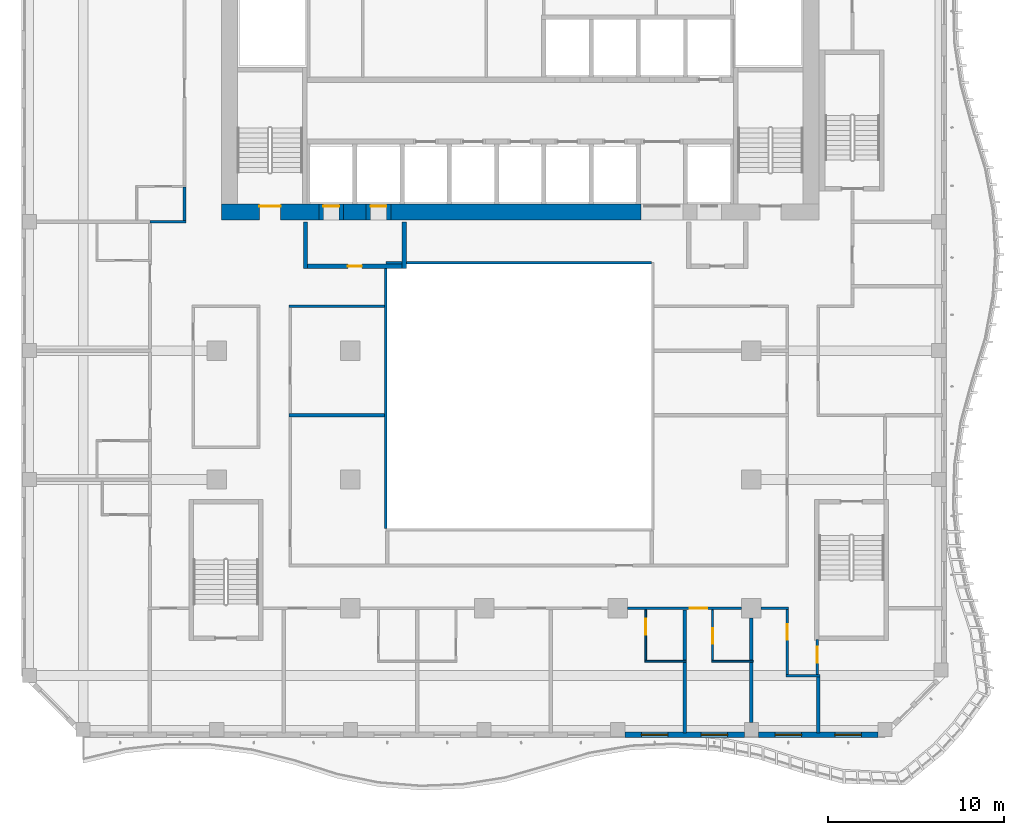
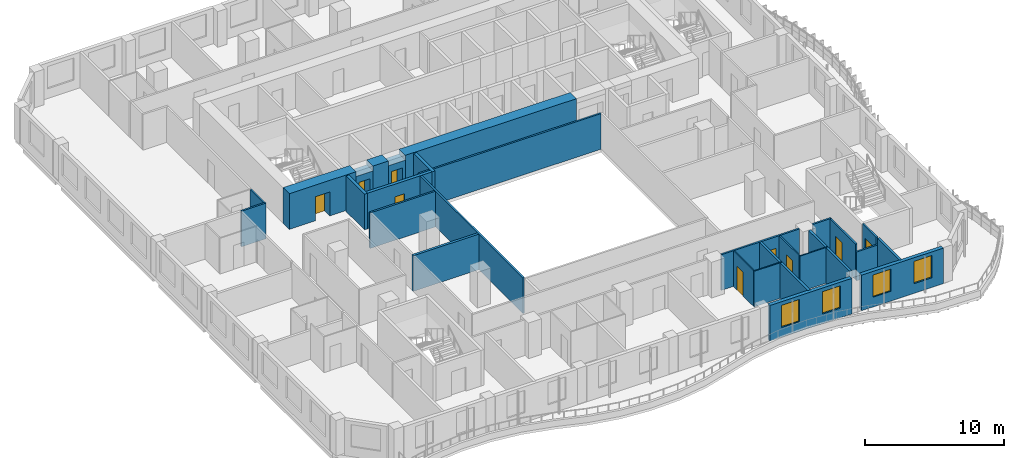
# One storey, part 4 of 22: 30 walls, 9 doors, 4 windows, 13 openings.
"""IFC4 building model written with IfcOpenShell, lengths in metres."""

import ifcopenshell
import ifcopenshell.guid

model = None  # the IFC model being written
_history = None  # IfcOwnerHistory: only IFC2X3 demands one
_inside = {}  # id of a spatial element -> (the spatial element, [elements in it])
_under = {}  # id of a project, library or spatial element -> (it, [spatial elements below it])
_declared = {}  # id of a project -> (the project, [libraries it declares])
_typed = {}  # id of a type object -> (the type object, [elements of that type])
_made_of = {}  # id of a material, layer set ... -> (it, [elements and type objects made of it])


def new_model(schema):
    """Start an empty IFC model of exactly this schema.

    Asked for "IFC4X3", IfcOpenShell would pick the latest addendum, in which some entities
    have other attributes; the version numbers below select the first issue.
    IFC2X3 requires an IfcOwnerHistory on every rooted entity: one is made here for all.
    """
    global model, _history
    if schema == "IFC4X3":
        model = ifcopenshell.file(schema_version=(4, 3, 0, 0))
    else:
        model = ifcopenshell.file(schema=schema)
    _inside.clear()
    _under.clear()
    _declared.clear()
    _typed.clear()
    _made_of.clear()
    _history = None
    if model.schema == "IFC2X3":
        org = make("IfcOrganization", Name="unknown")
        user = make(
            "IfcPersonAndOrganization",
            ThePerson=make("IfcPerson", FamilyName="unknown"),
            TheOrganization=org,
        )
        app = make(
            "IfcApplication",
            ApplicationDeveloper=org,
            Version="unknown",
            ApplicationFullName="unknown",
            ApplicationIdentifier="unknown",
        )
        _history = make(
            "IfcOwnerHistory",
            OwningUser=user,
            OwningApplication=app,
            ChangeAction="ADDED",
            CreationDate=0,
        )
    return model


def make(cls, **values):
    """One entity of the class cls with the attributes given. An attribute that is None is left unset."""
    return model.create_entity(
        cls, **{name: value for name, value in values.items() if value is not None}
    )


def rooted(cls, **values):
    """An entity with a GlobalId (a new one), such as an element, a storey or a relation."""
    return make(cls, GlobalId=ifcopenshell.guid.new(), OwnerHistory=_history, **values)


def si_unit(unit_type, name, prefix=None):
    """IfcSIUnit, for example si_unit("LENGTHUNIT", "METRE", prefix="MILLI")."""
    return make("IfcSIUnit", UnitType=unit_type, Prefix=prefix, Name=name)


def assignment(units):
    """IfcUnitAssignment: the units of a project."""
    return None if units is None else make("IfcUnitAssignment", Units=units)


def point(xyz):
    """IfcCartesianPoint."""
    return None if xyz is None else make("IfcCartesianPoint", Coordinates=xyz)


def direction(xyz):
    """IfcDirection."""
    return None if xyz is None else make("IfcDirection", DirectionRatios=xyz)


def frame(location, z_axis=None, x_axis=None):
    """IfcAxis2Placement3D, a coordinate frame: its origin and axes. An axis left out is left unset."""
    return make(
        "IfcAxis2Placement3D",
        Location=point(location),
        Axis=direction(z_axis),
        RefDirection=direction(x_axis),
    )


def frame_2d(location, x_axis=None):
    """IfcAxis2Placement2D, a coordinate frame in the plane: its origin and x axis."""
    return make(
        "IfcAxis2Placement2D", Location=point(location), RefDirection=direction(x_axis)
    )


def origin():
    """The frame at (0, 0, 0) with its axes left unset."""
    return frame((0.0, 0.0, 0.0))


def place(relative_to, where):
    """IfcLocalPlacement: puts the frame where relative to a parent placement (None: the world)."""
    return make(
        "IfcLocalPlacement", PlacementRelTo=relative_to, RelativePlacement=where
    )


def context(
    kind, dimensions, precision=None, world=None, true_north=None, identifier=None
):
    """IfcGeometricRepresentationContext, for example the 3D "Model" context."""
    return make(
        "IfcGeometricRepresentationContext",
        ContextIdentifier=identifier,
        ContextType=kind,
        CoordinateSpaceDimension=dimensions,
        Precision=precision,
        WorldCoordinateSystem=world,
        TrueNorth=true_north,
    )


def subcontext(parent, identifier, kind, view, scale=None):
    """IfcGeometricRepresentationSubContext, for example "Body" below "Model"."""
    return make(
        "IfcGeometricRepresentationSubContext",
        ContextIdentifier=identifier,
        ContextType=kind,
        ParentContext=parent,
        TargetScale=scale,
        TargetView=view,
    )


def project(units=None, contexts=None):
    """IfcProject with its units and contexts."""
    return rooted(
        "IfcProject",
        Name="project",
        RepresentationContexts=contexts,
        UnitsInContext=assignment(units),
    )


def spatial(cls, under=None, at=None, **own):
    """A site, building, storey or space (cls), placed at a placement, below another one or the project."""
    s = rooted(cls, ObjectPlacement=at, **own)
    if under is not None:
        _under.setdefault(under.id(), (under, []))[1].append(s)
    return s


def profile(cls, at=None, kind="AREA", **sizes):
    """A parametric profile (cls). Its sizes go by their IFC names, for example OverallWidth=200.0."""
    return make(cls, ProfileType=kind, Position=at, **sizes)


def rectangle(**sizes):
    """IfcRectangleProfileDef."""
    return profile("IfcRectangleProfileDef", **sizes)


def extrude(swept, where, along, depth):
    """IfcExtrudedAreaSolid: the profile swept, set in the frame where, extruded along a direction by depth."""
    return make(
        "IfcExtrudedAreaSolid",
        SweptArea=swept,
        Position=where,
        ExtrudedDirection=direction(along),
        Depth=depth,
    )


def shape(context_of_items, identifier, shape_type, items):
    """IfcShapeRepresentation: the items that make up one representation, for example the "Body"."""
    return make(
        "IfcShapeRepresentation",
        ContextOfItems=context_of_items,
        RepresentationIdentifier=identifier,
        RepresentationType=shape_type,
        Items=items,
    )


def source(mapping_origin, context_of_items, identifier, shape_type, items):
    """IfcRepresentationMap: a shape defined once, which mapped items show again and again."""
    return make(
        "IfcRepresentationMap",
        MappingOrigin=mapping_origin,
        MappedRepresentation=shape(context_of_items, identifier, shape_type, items),
    )


def transform(
    local_origin,
    x_axis=None,
    y_axis=None,
    z_axis=None,
    scale=None,
    scale2=None,
    scale3=None,
    uniform=True,
):
    """IfcCartesianTransformationOperator3D, or its non-uniform kind. x_axis, y_axis, z_axis: its Axis1, 2, 3."""
    if uniform:
        return make(
            "IfcCartesianTransformationOperator3D",
            Axis1=direction(x_axis),
            Axis2=direction(y_axis),
            LocalOrigin=point(local_origin),
            Scale=scale,
            Axis3=direction(z_axis),
        )
    return make(
        "IfcCartesianTransformationOperator3DnonUniform",
        Axis1=direction(x_axis),
        Axis2=direction(y_axis),
        LocalOrigin=point(local_origin),
        Scale=scale,
        Axis3=direction(z_axis),
        Scale2=scale2,
        Scale3=scale3,
    )


def mapped(mapping_source, mapping_target):
    """IfcMappedItem: shows the shape of a source again, moved by a transform."""
    return make(
        "IfcMappedItem", MappingSource=mapping_source, MappingTarget=mapping_target
    )


def material(Name=None, Category=None):
    """IfcMaterial."""
    return make("IfcMaterial", Name=Name, Category=Category)


def layer(
    of_material, thickness, ventilated=None, Name=None, Category=None, Priority=None
):
    """IfcMaterialLayer: one layer of a wall or slab, of a material (None: an air gap)."""
    return make(
        "IfcMaterialLayer",
        Material=of_material,
        LayerThickness=thickness,
        IsVentilated=ventilated,
        Name=Name,
        Category=Category,
        Priority=Priority,
    )


def layer_set(layers, Name=None):
    """IfcMaterialLayerSet."""
    return make("IfcMaterialLayerSet", MaterialLayers=layers, LayerSetName=Name)


def made_of(thing, what):
    """Note that an element or type object is made of a material, layer set ...; save() writes the relation."""
    if what is not None:
        _made_of.setdefault(what.id(), (what, []))[1].append(thing)
    return thing


def type_object(cls, material=None, **own):
    """A type object (cls), such as IfcWallType, which elements share."""
    return made_of(rooted(cls, **own), material)


def element(
    cls,
    number,
    at=None,
    inside=None,
    cuts=None,
    type_object=None,
    material=None,
    context=None,
    identifier="Body",
    shape_type=None,
    held_by="IfcProductDefinitionShape",
    body=None,
    shapes=None,
    **own,
):
    """One element of the class cls, such as IfcWall. Its Tag is "e" and its number.

    at: its placement. inside: the storey or other place that contains it. cuts: it is an
    opening in that element (IfcRelVoidsElement). A single representation is given by context,
    identifier, shape_type and body (its items); several are given by shapes. held_by: the class
    of the entity that holds the representations. save() writes the other relations.
    """
    e = rooted(cls, Tag="e%d" % number, ObjectPlacement=at, **own)
    if body is not None:
        shapes = [shape(context, identifier, shape_type, body)]
    if shapes is not None:
        e.Representation = make(held_by, Representations=shapes)
    if inside is not None:
        _inside.setdefault(inside.id(), (inside, []))[1].append(e)
    if cuts is not None:
        rooted(
            "IfcRelVoidsElement", RelatingBuildingElement=cuts, RelatedOpeningElement=e
        )
    if type_object is not None:
        _typed.setdefault(type_object.id(), (type_object, []))[1].append(e)
    return made_of(e, material)


def fill(opening, filler):
    """IfcRelFillsElement: the door or window that sits in an opening."""
    return rooted(
        "IfcRelFillsElement",
        RelatingOpeningElement=opening,
        RelatedBuildingElement=filler,
    )


def aggregate(whole, parts):
    """IfcRelAggregates: a whole, such as a stair, and the parts it consists of."""
    return rooted("IfcRelAggregates", RelatingObject=whole, RelatedObjects=parts)


def save(model, path):
    """Write the relations noted so far, then the file.

    IfcRelAggregates (storeys below a building ...), IfcRelContainedInSpatialStructure (elements
    in a storey), IfcRelDefinesByType, IfcRelAssociatesMaterial and IfcRelDeclares: one each for
    every whole, place, type object, material and project.
    """
    for whole, parts in _under.values():
        aggregate(whole, parts)
    for where, things in _inside.values():
        rooted(
            "IfcRelContainedInSpatialStructure",
            RelatedElements=things,
            RelatingStructure=where,
        )
    for kind, things in _typed.values():
        rooted("IfcRelDefinesByType", RelatedObjects=things, RelatingType=kind)
    for what, things in _made_of.values():
        rooted("IfcRelAssociatesMaterial", RelatedObjects=things, RelatingMaterial=what)
    for by, libraries in _declared.values():
        rooted("IfcRelDeclares", RelatingContext=by, RelatedDefinitions=libraries)
    model.write(path)


model = new_model("IFC4")

# Units and contexts
model_context = context("Model", 3, precision=1e-05, world=origin(), true_north=direction((0.0, 1.0)))
body_context = subcontext(model_context, "Body", "Model", "MODEL_VIEW")
ifc_project = project(units=[si_unit("LENGTHUNIT", "METRE"), si_unit("AREAUNIT", "SQUARE_METRE"), si_unit("VOLUMEUNIT", "CUBIC_METRE"), si_unit("PLANEANGLEUNIT", "RADIAN"), si_unit("MASSUNIT", "GRAM", prefix="KILO")], contexts=[model_context])

# Site, building, storey
site_placement = place(None, origin())
site = spatial("IfcSite", under=ifc_project, at=site_placement, CompositionType="ELEMENT")
building_placement = place(site_placement, origin())
building = spatial("IfcBuilding", under=site, at=building_placement, Name="Kilnfold Tower and Market Hall", CompositionType="ELEMENT")
storey_placement = place(building_placement, frame((0.0, 0.0, 154.10009765625)))
storey = spatial("IfcBuildingStorey", under=building, at=storey_placement, Name="L35", CompositionType="ELEMENT", Elevation=154.10009765625)

# Walls
ifc_material_1 = material(Name="Fire-resisting glazed screen")
ifc_layer_1 = layer(ifc_material_1, 0.14990234375)
ifc_layer_set_1 = layer_set([ifc_layer_1], Name="Fire-resisting glazed screen")
wall_type_1 = type_object("IfcWallType", Name="WALL ATRIUM 150", PredefinedType="PARTITIONING", material=ifc_layer_set_1)
wall_1_placement = place(storey_placement, frame((-6.574951171875, -9.39990234375, 0.0), z_axis=(0.0, 0.0, 1.0), x_axis=(0.0, 1.0, 0.0)))
element("IfcWall", 1, at=wall_1_placement, inside=storey, type_object=wall_type_1, Name="Partition LY23.108", PredefinedType="PARTITIONING", context=body_context, shape_type="SweptSolid", body=[
    extrude(rectangle(XDim=15.0, YDim=0.14990234375, at=frame_2d((7.5, 0.0))), origin(), (0.0, 0.0, 1.0), 3.119873046875),
])
wall_2_placement = place(storey_placement, frame((-6.574951171875, 5.675048828125, 0.0), z_axis=(0.0, 0.0, 1.0), x_axis=(1.0, 0.0, 0.0)))
element("IfcWall", 2, at=wall_2_placement, inside=storey, type_object=wall_type_1, Name="Partition LY23.109", PredefinedType="PARTITIONING", context=body_context, shape_type="SweptSolid", body=[
    extrude(rectangle(XDim=15.074951171875, YDim=0.14990234375, at=frame_2d((7.53759765625, 0.0))), origin(), (0.0, 0.0, 1.0), 3.119873046875),
])

# Wall, opening, door
ifc_material_2 = material(Name="Gypsum board on steel studs", Category="steel")
ifc_layer_2 = layer(ifc_material_2, 0.14990234375)
ifc_layer_set_2 = layer_set([ifc_layer_2], Name="Gypsum board on steel studs")
wall_type_2 = type_object("IfcWallType", Name="WALL CORRIDOR 150", PredefinedType="PARTITIONING", material=ifc_layer_set_2)
wall_3_placement = place(storey_placement, frame((7.133056640625, -13.93798828125, 0.0), z_axis=(0.0, 0.0, 1.0), x_axis=(1.0, 0.0, 0.0)))
wall_3 = element("IfcWall", 3, at=wall_3_placement, inside=storey, type_object=wall_type_2, Name="Partition LY23.5", PredefinedType="PARTITIONING", context=body_context, shape_type="SweptSolid", body=[
    extrude(rectangle(XDim=6.48388671875, YDim=0.14990234375, at=frame_2d((3.241943359375, 0.0))), origin(), (0.0, 0.0, 1.0), 3.119873046875),
])
opening_1_placement = place(wall_3_placement, frame((3.5380859375, 0.0, 0.0)))
opening_1 = element("IfcOpeningElement", 4, at=opening_1_placement, cuts=wall_3, Name="Opening D1", PredefinedType="OPENING", context=body_context, shape_type="SweptSolid", body=[
    extrude(rectangle(XDim=1.0, YDim=2.10009765625, at=frame_2d((0.5, 1.050048828125))), frame((0.0, 0.0849609375, 0.0), z_axis=(0.0, -1.0, 0.0), x_axis=(1.0, 0.0, 0.0)), (0.0, 0.0, 1.0), 0.169921875),
])
ifc_material_3 = material(Name="Timber veneer door leaf in steel frame", Category="steel")
door_type_1 = type_object("IfcDoorType", Name="DOOR ENTRY 1000 X2100", OperationType="NOTDEFINED", PredefinedType="DOOR", material=ifc_material_3)
door_1_placement = place(opening_1_placement, origin())
door_1 = element("IfcDoor", 5, at=door_1_placement, inside=storey, type_object=door_type_1, Name="Door D1", OperationType="SINGLE_SWING_RIGHT", OverallHeight=2.10009765625, OverallWidth=1.0, PredefinedType="DOOR", context=body_context, shape_type="SweptSolid", body=[
    extrude(rectangle(XDim=1.0, YDim=2.10009765625, at=frame_2d((0.5, 1.050048828125))), frame((0.0, 0.02490234375, 0.0), z_axis=(0.0, -1.0, 0.0), x_axis=(1.0, 0.0, 0.0)), (0.0, 0.0, 1.0), 0.050048828125),
])
fill(opening_1, door_1)

# Wall
wall_4_placement = place(storey_placement, frame((16.125, -17.75, 0.0), z_axis=(0.0, 0.0, 1.0), x_axis=(1.0, 0.0, 0.0)))
element("IfcWall", 6, at=wall_4_placement, inside=storey, type_object=wall_type_2, Name="Partition LY23.6", PredefinedType="PARTITIONING", context=body_context, shape_type="SweptSolid", body=[
    extrude(rectangle(XDim=1.93408203125, YDim=0.14990234375, at=frame_2d((0.967041015625, 0.0))), origin(), (0.0, 0.0, 1.0), 2.52001953125),
])

# Wall, opening, door
wall_5_placement = place(storey_placement, frame((16.199951171875, -17.675048828125, 0.0), z_axis=(0.0, 0.0, 1.0), x_axis=(0.0, 1.0, 0.0)))
wall_5 = element("IfcWall", 7, at=wall_5_placement, inside=storey, type_object=wall_type_2, Name="Partition LY23.7", PredefinedType="PARTITIONING", context=body_context, shape_type="SweptSolid", body=[
    extrude(rectangle(XDim=3.662109375, YDim=0.14990234375, at=frame_2d((1.8310546875, 0.0))), origin(), (0.0, 0.0, 1.0), 3.119873046875),
])
opening_2_placement = place(wall_5_placement, frame((1.946044921875, 0.0, 0.0)))
opening_2 = element("IfcOpeningElement", 8, at=opening_2_placement, cuts=wall_5, Name="Opening D2", PredefinedType="OPENING", context=body_context, shape_type="SweptSolid", body=[
    extrude(rectangle(XDim=0.89990234375, YDim=2.10009765625, at=frame_2d((0.449951171875, 1.050048828125))), frame((0.0, 0.0849609375, 0.0), z_axis=(0.0, -1.0, 0.0), x_axis=(1.0, 0.0, 0.0)), (0.0, 0.0, 1.0), 0.169921875),
])
ifc_material_4 = material(Name="Timber veneer door leaf in steel frame", Category="steel")
door_type_2 = type_object("IfcDoorType", Name="DOOR ROOM 900 X2100", OperationType="NOTDEFINED", PredefinedType="DOOR", material=ifc_material_4)
door_2_placement = place(opening_2_placement, origin())
door_2 = element("IfcDoor", 9, at=door_2_placement, inside=storey, type_object=door_type_2, Name="Door D2", OperationType="SINGLE_SWING_LEFT", OverallHeight=2.10009765625, OverallWidth=0.89990234375, PredefinedType="DOOR", context=body_context, shape_type="SweptSolid", body=[
    extrude(rectangle(XDim=0.89990234375, YDim=2.10009765625, at=frame_2d((0.449951171875, 1.050048828125))), frame((0.0, 0.02490234375, 0.0), z_axis=(0.0, -1.0, 0.0), x_axis=(1.0, 0.0, 0.0)), (0.0, 0.0, 1.0), 0.050048828125),
])
fill(opening_2, door_2)

# Wall
wall_6_placement = place(storey_placement, frame((14.717041015625, -13.93798828125, 0.0), z_axis=(0.0, 0.0, 1.0), x_axis=(1.0, 0.0, 0.0)))
element("IfcWall", 10, at=wall_6_placement, inside=storey, type_object=wall_type_2, Name="Partition LY23.8", PredefinedType="PARTITIONING", context=body_context, shape_type="SweptSolid", body=[
    extrude(rectangle(XDim=1.557861328125, YDim=0.14990234375, at=frame_2d((0.77880859375, 0.0))), origin(), (0.0, 0.0, 1.0), 3.119873046875),
])

# Wall, opening, door
wall_7_placement = place(storey_placement, frame((17.908935546875, -17.675048828125, 0.0), z_axis=(0.0, 0.0, 1.0), x_axis=(0.0, 1.0, 0.0)))
wall_7 = element("IfcWall", 11, at=wall_7_placement, inside=storey, type_object=wall_type_2, Name="Partition LY23.9", PredefinedType="PARTITIONING", context=body_context, shape_type="SweptSolid", body=[
    extrude(rectangle(XDim=1.97509765625, YDim=0.14990234375, at=frame_2d((0.987548828125, 0.0))), origin(), (0.0, 0.0, 1.0), 3.119873046875),
])
opening_3_placement = place(wall_7_placement, frame((0.64990234375, 0.0, 0.0)))
opening_3 = element("IfcOpeningElement", 12, at=opening_3_placement, cuts=wall_7, Name="Opening D2", PredefinedType="OPENING", context=body_context, shape_type="SweptSolid", body=[
    extrude(rectangle(XDim=0.89990234375, YDim=2.10009765625, at=frame_2d((0.449951171875, 1.050048828125))), frame((0.0, 0.0849609375, 0.0), z_axis=(0.0, -1.0, 0.0), x_axis=(1.0, 0.0, 0.0)), (0.0, 0.0, 1.0), 0.169921875),
])
door_3_placement = place(opening_3_placement, origin())
door_3 = element("IfcDoor", 13, at=door_3_placement, inside=storey, type_object=door_type_2, Name="Door D2", OperationType="SINGLE_SWING_LEFT", OverallHeight=2.10009765625, OverallWidth=0.89990234375, PredefinedType="DOOR", context=body_context, shape_type="SweptSolid", body=[
    extrude(rectangle(XDim=0.89990234375, YDim=2.10009765625, at=frame_2d((0.449951171875, 1.050048828125))), frame((0.0, 0.02490234375, 0.0), z_axis=(0.0, -1.0, 0.0), x_axis=(1.0, 0.0, 0.0)), (0.0, 0.0, 1.0), 0.050048828125),
])
fill(opening_3, door_3)

# Walls
wall_8_placement = place(storey_placement, frame((-17.925048828125, 8.0, 0.0), z_axis=(0.0, 0.0, 1.0), x_axis=(-1.0, 0.0, 0.0)))
element("IfcWall", 14, at=wall_8_placement, inside=storey, type_object=wall_type_2, Name="Partition LY23.19", PredefinedType="PARTITIONING", context=body_context, shape_type="SweptSolid", body=[
    extrude(rectangle(XDim=2.033935546875, YDim=0.14990234375, at=frame_2d((1.01708984375, 0.0))), origin(), (0.0, 0.0, 1.0), 3.119873046875),
])
wall_9_placement = place(storey_placement, frame((-18.0, 8.074951171875, 0.0), z_axis=(0.0, 0.0, 1.0), x_axis=(0.0, 1.0, 0.0)))
element("IfcWall", 15, at=wall_9_placement, inside=storey, type_object=wall_type_2, Name="Partition LY23.20", PredefinedType="PARTITIONING", context=body_context, shape_type="SweptSolid", body=[
    extrude(rectangle(XDim=1.885009765625, YDim=0.14990234375, at=frame_2d((0.9423828125, 0.0))), origin(), (0.0, 0.0, 1.0), 3.119873046875),
])
wall_10_placement = place(storey_placement, frame((-12.074951171875, 3.199951171875, 0.0), z_axis=(0.0, 0.0, 1.0), x_axis=(1.0, 0.0, 0.0)))
element("IfcWall", 16, at=wall_10_placement, inside=storey, type_object=wall_type_2, Name="Partition LY23.34", PredefinedType="PARTITIONING", context=body_context, shape_type="SweptSolid", body=[
    extrude(rectangle(XDim=5.425048828125, YDim=0.14990234375, at=frame_2d((2.71240234375, 0.0))), origin(), (0.0, 0.0, 1.0), 3.119873046875),
])

# Wall, opening, door
ifc_material_5 = material(Name="Gypsum board on steel studs", Category="steel")
ifc_layer_3 = layer(ifc_material_5, 0.10009765625)
ifc_layer_set_3 = layer_set([ifc_layer_3], Name="Gypsum board on steel studs")
wall_type_3 = type_object("IfcWallType", Name="WALL PARTITION 100", PredefinedType="PARTITIONING", material=ifc_layer_set_3)
wall_11_placement = place(storey_placement, frame((8.175048828125, -16.889892578125, 0.0), z_axis=(0.0, 0.0, 1.0), x_axis=(0.0, 1.0, 0.0)))
wall_11 = element("IfcWall", 17, at=wall_11_placement, inside=storey, type_object=wall_type_3, Name="Partition LY23.52", PredefinedType="PARTITIONING", context=body_context, shape_type="SweptSolid", body=[
    extrude(rectangle(XDim=2.875, YDim=0.10009765625, at=frame_2d((1.4375, 0.0))), origin(), (0.0, 0.0, 1.0), 3.119873046875),
])
opening_4_placement = place(wall_11_placement, frame((1.4599609375, 0.0, 0.0)))
opening_4 = element("IfcOpeningElement", 18, at=opening_4_placement, cuts=wall_11, Name="Opening D3", PredefinedType="OPENING", context=body_context, shape_type="SweptSolid", body=[
    extrude(rectangle(XDim=0.89990234375, YDim=2.10009765625, at=frame_2d((0.449951171875, 1.050048828125))), frame((0.0, 0.06005859375, 0.0), z_axis=(0.0, -1.0, 0.0), x_axis=(1.0, 0.0, 0.0)), (0.0, 0.0, 1.0), 0.1201171875),
])
ifc_material_6 = material(Name="Timber veneer door leaf in steel frame", Category="steel")
door_type_3 = type_object("IfcDoorType", Name="DOOR WC 900 X2100", OperationType="NOTDEFINED", PredefinedType="DOOR", material=ifc_material_6)
door_4_placement = place(opening_4_placement, origin())
door_4 = element("IfcDoor", 19, at=door_4_placement, inside=storey, type_object=door_type_3, Name="Door D3", OperationType="SINGLE_SWING_LEFT", OverallHeight=2.10009765625, OverallWidth=0.89990234375, PredefinedType="DOOR", context=body_context, shape_type="SweptSolid", body=[
    extrude(rectangle(XDim=0.89990234375, YDim=2.10009765625, at=frame_2d((0.449951171875, 1.050048828125))), frame((0.0, 0.02490234375, 0.0), z_axis=(0.0, -1.0, 0.0), x_axis=(1.0, 0.0, 0.0)), (0.0, 0.0, 1.0), 0.050048828125),
])
fill(opening_4, door_4)

# Wall
wall_12_placement = place(storey_placement, frame((8.125, -16.93994140625, 0.0), z_axis=(0.0, 0.0, 1.0), x_axis=(1.0, 0.0, 0.0)))
element("IfcWall", 20, at=wall_12_placement, inside=storey, type_object=wall_type_3, Name="Partition LY23.53", PredefinedType="PARTITIONING", context=body_context, shape_type="SweptSolid", body=[
    extrude(rectangle(XDim=2.35009765625, YDim=0.10009765625, at=frame_2d((1.175048828125, 0.0))), origin(), (0.0, 0.0, 1.0), 3.119873046875),
])

# Wall, opening, door
wall_13_placement = place(storey_placement, frame((11.967041015625, -16.889892578125, 0.0), z_axis=(0.0, 0.0, 1.0), x_axis=(0.0, 1.0, 0.0)))
wall_13 = element("IfcWall", 21, at=wall_13_placement, inside=storey, type_object=wall_type_3, Name="Partition LY23.56", PredefinedType="PARTITIONING", context=body_context, shape_type="SweptSolid", body=[
    extrude(rectangle(XDim=2.875, YDim=0.10009765625, at=frame_2d((1.4375, 0.0))), origin(), (0.0, 0.0, 1.0), 3.119873046875),
])
opening_5_placement = place(wall_13_placement, frame((0.93505859375, 0.0, 0.0)))
opening_5 = element("IfcOpeningElement", 22, at=opening_5_placement, cuts=wall_13, Name="Opening D3", PredefinedType="OPENING", context=body_context, shape_type="SweptSolid", body=[
    extrude(rectangle(XDim=0.89990234375, YDim=2.10009765625, at=frame_2d((0.449951171875, 1.050048828125))), frame((0.0, 0.06005859375, 0.0), z_axis=(0.0, -1.0, 0.0), x_axis=(1.0, 0.0, 0.0)), (0.0, 0.0, 1.0), 0.1201171875),
])
door_5_placement = place(opening_5_placement, origin())
door_5 = element("IfcDoor", 23, at=door_5_placement, inside=storey, type_object=door_type_3, Name="Door D3", OperationType="SINGLE_SWING_RIGHT", OverallHeight=2.10009765625, OverallWidth=0.89990234375, PredefinedType="DOOR", context=body_context, shape_type="SweptSolid", body=[
    extrude(rectangle(XDim=0.89990234375, YDim=2.10009765625, at=frame_2d((0.449951171875, 1.050048828125))), frame((0.0, 0.02490234375, 0.0), z_axis=(0.0, -1.0, 0.0), x_axis=(1.0, 0.0, 0.0)), (0.0, 0.0, 1.0), 0.050048828125),
])
fill(opening_5, door_5)

# Walls
wall_14_placement = place(storey_placement, frame((11.9169921875, -16.93994140625, 0.0), z_axis=(0.0, 0.0, 1.0), x_axis=(1.0, 0.0, 0.0)))
element("IfcWall", 24, at=wall_14_placement, inside=storey, type_object=wall_type_3, Name="Partition LY23.57", PredefinedType="PARTITIONING", context=body_context, shape_type="SweptSolid", body=[
    extrude(rectangle(XDim=2.35009765625, YDim=0.10009765625, at=frame_2d((1.175048828125, 0.0))), origin(), (0.0, 0.0, 1.0), 3.119873046875),
])
ifc_material_7 = material(Name="Gypsum board on steel studs", Category="steel")
ifc_layer_4 = layer(ifc_material_7, 0.199951171875)
ifc_layer_set_4 = layer_set([ifc_layer_4], Name="Gypsum board on steel studs")
wall_type_4 = type_object("IfcWallType", Name="WALL PARTY 200", PredefinedType="PARTITIONING", material=ifc_layer_set_4)
wall_15_placement = place(storey_placement, frame((10.375, -21.0, 0.0), z_axis=(0.0, 0.0, 1.0), x_axis=(0.0, 1.0, 0.0)))
element("IfcWall", 25, at=wall_15_placement, inside=storey, type_object=wall_type_4, Name="Partition LY23.54", PredefinedType="PARTITIONING", context=body_context, shape_type="SweptSolid", body=[
    extrude(rectangle(XDim=4.010009765625, YDim=0.199951171875, at=frame_2d((2.0048828125, 0.0))), origin(), (0.0, 0.0, 1.0), 3.119873046875),
])
wall_16_placement = place(storey_placement, frame((10.375, -16.889892578125, 0.0), z_axis=(0.0, 0.0, 1.0), x_axis=(0.0, 1.0, 0.0)))
element("IfcWall", 26, at=wall_16_placement, inside=storey, type_object=wall_type_4, Name="Partition LY23.55", PredefinedType="PARTITIONING", context=body_context, shape_type="SweptSolid", body=[
    extrude(rectangle(XDim=2.875, YDim=0.199951171875, at=frame_2d((1.4375, 0.0))), origin(), (0.0, 0.0, 1.0), 3.119873046875),
])
wall_17_placement = place(storey_placement, frame((14.1669921875, -20.39990234375, 0.0), z_axis=(0.0, 0.0, 1.0), x_axis=(0.0, 1.0, 0.0)))
element("IfcWall", 27, at=wall_17_placement, inside=storey, type_object=wall_type_4, Name="Partition LY23.58", PredefinedType="PARTITIONING", context=body_context, shape_type="SweptSolid", body=[
    extrude(rectangle(XDim=3.409912109375, YDim=0.199951171875, at=frame_2d((1.705078125, 0.0))), origin(), (0.0, 0.0, 1.0), 3.119873046875),
])
wall_18_placement = place(storey_placement, frame((14.1669921875, -16.889892578125, 0.0), z_axis=(0.0, 0.0, 1.0), x_axis=(0.0, 1.0, 0.0)))
element("IfcWall", 28, at=wall_18_placement, inside=storey, type_object=wall_type_4, Name="Partition LY23.59", PredefinedType="PARTITIONING", context=body_context, shape_type="SweptSolid", body=[
    extrude(rectangle(XDim=2.40185546875, YDim=0.199951171875, at=frame_2d((1.200927734375, 0.0))), origin(), (0.0, 0.0, 1.0), 3.119873046875),
])
wall_19_placement = place(storey_placement, frame((17.958984375, -21.0, 0.0), z_axis=(0.0, 0.0, 1.0), x_axis=(0.0, 1.0, 0.0)))
element("IfcWall", 29, at=wall_19_placement, inside=storey, type_object=wall_type_4, Name="Partition LY23.60", PredefinedType="PARTITIONING", context=body_context, shape_type="SweptSolid", body=[
    extrude(rectangle(XDim=3.173095703125, YDim=0.199951171875, at=frame_2d((1.58642578125, 0.0))), origin(), (0.0, 0.0, 1.0), 3.119873046875),
])
wall_20_placement = place(storey_placement, frame((-12.072998046875, -2.968994140625, 0.0), z_axis=(0.0, 0.0, 1.0), x_axis=(1.0, 0.0, 0.0)))
element("IfcWall", 30, at=wall_20_placement, inside=storey, type_object=wall_type_4, Name="Partition LY23.101", PredefinedType="PARTITIONING", context=body_context, shape_type="SweptSolid", body=[
    extrude(rectangle(XDim=5.423095703125, YDim=0.199951171875, at=frame_2d((2.71142578125, 0.0))), origin(), (0.0, 0.0, 1.0), 3.119873046875),
])

# Wall, opening, door
ifc_material_8 = material(Name="Concrete C70", Category="concrete")
ifc_layer_5 = layer(ifc_material_8, 0.89990234375)
ifc_layer_set_5 = layer_set([ifc_layer_5], Name="Concrete C70")
wall_type_5 = type_object("IfcWallType", Name="CORE WALL 900 C70", PredefinedType="SHEAR", material=ifc_layer_set_5)
shared_shape_1 = source(origin(), body_context, "Body", "SweptSolid", [
    extrude(rectangle(XDim=5.52978515625, YDim=0.89990234375, at=frame_2d((2.764892578125, 0.0))), origin(), (0.0, 0.0, 1.0), 3.119873046875),
])
wall_21_placement = place(storey_placement, frame((-15.89990234375, 8.550048828125, 0.0), z_axis=(0.0, 0.0, 1.0), x_axis=(1.0, 0.0, 0.0)))
wall_21 = element("IfcWall", 31, at=wall_21_placement, inside=storey, type_object=wall_type_5, Name="Core outer wall south", PredefinedType="SHEAR", context=body_context, shape_type="MappedRepresentation", body=[
    mapped(shared_shape_1, transform((0.0, 0.0, 0.0))),
])
opening_6_placement = place(wall_21_placement, frame((2.14990234375, 0.0, 0.0)))
opening_6 = element("IfcOpeningElement", 32, at=opening_6_placement, cuts=wall_21, Name="Opening SD1", PredefinedType="OPENING", context=body_context, shape_type="SweptSolid", body=[
    extrude(rectangle(XDim=1.199951171875, YDim=2.10009765625, at=frame_2d((0.60009765625, 1.050048828125))), frame((0.0, 0.4599609375, 0.0), z_axis=(0.0, -1.0, 0.0), x_axis=(1.0, 0.0, 0.0)), (0.0, 0.0, 1.0), 0.919921875),
])
ifc_material_9 = material(Name="Steel door set with fire-resisting leaf", Category="steel")
door_type_4 = type_object("IfcDoorType", Name="STAIR FLOOR DOOR 1200X2100", OperationType="NOTDEFINED", PredefinedType="DOOR", material=ifc_material_9)
door_6_placement = place(opening_6_placement, origin())
door_6 = element("IfcDoor", 33, at=door_6_placement, inside=storey, type_object=door_type_4, Name="Exit stair ST1 door", OperationType="DOUBLE_DOOR_SINGLE_SWING", OverallHeight=2.10009765625, OverallWidth=1.199951171875, PredefinedType="DOOR", context=body_context, shape_type="SweptSolid", body=[
    extrude(rectangle(XDim=1.199951171875, YDim=2.10009765625, at=frame_2d((0.60009765625, 1.050048828125))), frame((0.0, 0.35498046875, 0.0), z_axis=(0.0, -1.0, 0.0), x_axis=(1.0, 0.0, 0.0)), (0.0, 0.0, 1.0), 0.050048828125),
])
fill(opening_6, door_6)

# Walls
shared_shape_2 = source(origin(), body_context, "Body", "SweptSolid", [
    extrude(rectangle(XDim=1.280029296875, YDim=0.89990234375, at=frame_2d((0.64013671875, 0.0))), origin(), (0.0, 0.0, 1.0), 3.119873046875),
])
wall_22_placement = place(storey_placement, frame((-8.969970703125, 8.550048828125, 0.0), z_axis=(0.0, 0.0, 1.0), x_axis=(1.0, 0.0, 0.0)))
element("IfcWall", 34, at=wall_22_placement, inside=storey, type_object=wall_type_5, Name="Core outer wall south", PredefinedType="SHEAR", context=body_context, shape_type="MappedRepresentation", body=[
    mapped(shared_shape_2, transform((0.0, 0.0, 0.0))),
])
shared_shape_3 = source(origin(), body_context, "Body", "SweptSolid", [
    extrude(rectangle(XDim=14.179931640625, YDim=0.89990234375, at=frame_2d((7.08984375, 0.0))), origin(), (0.0, 0.0, 1.0), 3.119873046875),
])
wall_23_placement = place(storey_placement, frame((-6.2900390625, 8.550048828125, 0.0), z_axis=(0.0, 0.0, 1.0), x_axis=(1.0, 0.0, 0.0)))
element("IfcWall", 35, at=wall_23_placement, inside=storey, type_object=wall_type_5, Name="Core outer wall south", PredefinedType="SHEAR", context=body_context, shape_type="MappedRepresentation", body=[
    mapped(shared_shape_3, transform((0.0, 0.0, 0.0))),
])

# Wall, openings, windows
ifc_material_10 = material(Name="Precast concrete C50/60", Category="concrete")
ifc_layer_6 = layer(ifc_material_10, 0.300048828125)
ifc_layer_set_6 = layer_set([ifc_layer_6], Name="Precast concrete C50/60")
wall_type_6 = type_object("IfcWallType", Name="PRECAST WALL 300", PredefinedType="SOLIDWALL", material=ifc_layer_set_6)
shared_shape_4 = source(origin(), body_context, "Body", "SweptSolid", [
    extrude(rectangle(XDim=6.783447265625, YDim=0.300048828125, at=frame_2d((3.3916015625, 0.0))), origin(), (0.0, 0.0, 1.0), 3.119873046875),
])
wall_24_placement = place(storey_placement, frame((14.566650390625, -21.10009765625, 0.0), z_axis=(0.0, 0.0, 1.0), x_axis=(1.0, 0.0, 0.0)))
wall_24 = element("IfcWall", 36, at=wall_24_placement, inside=storey, type_object=wall_type_6, Name="External wall L35 S", PredefinedType="SOLIDWALL", context=body_context, shape_type="MappedRepresentation", body=[
    mapped(shared_shape_4, transform((0.0, 0.0, 0.0))),
])
opening_7_placement = place(wall_24_placement, frame((0.94580078125, 0.0, 0.85009765625)))
opening_7 = element("IfcOpeningElement", 37, at=opening_7_placement, cuts=wall_24, Name="Opening W4", PredefinedType="OPENING", context=body_context, shape_type="SweptSolid", body=[
    extrude(rectangle(XDim=1.5, YDim=1.949951171875, at=frame_2d((0.75, 0.97509765625))), frame((0.0, 0.16015625, 0.0), z_axis=(0.0, -1.0, 0.0), x_axis=(1.0, 0.0, 0.0)), (0.0, 0.0, 1.0), 0.320068359375),
])
opening_8_placement = place(wall_24_placement, frame((4.33740234375, 0.0, 0.85009765625)))
opening_8 = element("IfcOpeningElement", 38, at=opening_8_placement, cuts=wall_24, Name="Opening W4", PredefinedType="OPENING", context=body_context, shape_type="SweptSolid", body=[
    extrude(rectangle(XDim=1.5, YDim=1.949951171875, at=frame_2d((0.75, 0.97509765625))), frame((0.0, 0.16015625, 0.0), z_axis=(0.0, -1.0, 0.0), x_axis=(1.0, 0.0, 0.0)), (0.0, 0.0, 1.0), 0.320068359375),
])
ifc_material_11 = material(Name="Aluminium frame and double glazing", Category="aluminium")
window_type = type_object("IfcWindowType", Name="WINDOW W4 1500X1950", PartitioningType="SINGLE_PANEL", PredefinedType="WINDOW", material=ifc_material_11)
window_1_placement = place(opening_7_placement, origin())
window_1 = element("IfcWindow", 39, at=window_1_placement, inside=storey, type_object=window_type, Name="Window W4 L35 S-1", OverallHeight=1.949951171875, OverallWidth=1.5, PartitioningType="SINGLE_PANEL", PredefinedType="WINDOW", context=body_context, shape_type="SweptSolid", body=[
    extrude(rectangle(XDim=1.5, YDim=1.949951171875, at=frame_2d((0.75, 0.97509765625))), frame((0.0, 0.030029296875, 0.0), z_axis=(0.0, -1.0, 0.0), x_axis=(1.0, 0.0, 0.0)), (0.0, 0.0, 1.0), 0.06005859375),
])
fill(opening_7, window_1)
window_2_placement = place(opening_8_placement, origin())
window_2 = element("IfcWindow", 40, at=window_2_placement, inside=storey, type_object=window_type, Name="Window W4 L35 S-2", OverallHeight=1.949951171875, OverallWidth=1.5, PartitioningType="SINGLE_PANEL", PredefinedType="WINDOW", context=body_context, shape_type="SweptSolid", body=[
    extrude(rectangle(XDim=1.5, YDim=1.949951171875, at=frame_2d((0.75, 0.97509765625))), frame((0.0, 0.030029296875, 0.0), z_axis=(0.0, -1.0, 0.0), x_axis=(1.0, 0.0, 0.0)), (0.0, 0.0, 1.0), 0.06005859375),
])
fill(opening_8, window_2)

shared_shape_5 = source(origin(), body_context, "Body", "SweptSolid", [
    extrude(rectangle(XDim=6.783203125, YDim=0.300048828125, at=frame_2d((3.3916015625, 0.0))), origin(), (0.0, 0.0, 1.0), 3.119873046875),
])
wall_25_placement = place(storey_placement, frame((6.9833984375, -21.10009765625, 0.0), z_axis=(0.0, 0.0, 1.0), x_axis=(1.0, 0.0, 0.0)))
wall_25 = element("IfcWall", 41, at=wall_25_placement, inside=storey, type_object=wall_type_6, Name="External wall L35 S", PredefinedType="SOLIDWALL", context=body_context, shape_type="MappedRepresentation", body=[
    mapped(shared_shape_5, transform((0.0, 0.0, 0.0))),
])
opening_9_placement = place(wall_25_placement, frame((0.94580078125, 0.0, 0.85009765625)))
opening_9 = element("IfcOpeningElement", 42, at=opening_9_placement, cuts=wall_25, Name="Opening W4", PredefinedType="OPENING", context=body_context, shape_type="SweptSolid", body=[
    extrude(rectangle(XDim=1.5, YDim=1.949951171875, at=frame_2d((0.75, 0.97509765625))), frame((0.0, 0.16015625, 0.0), z_axis=(0.0, -1.0, 0.0), x_axis=(1.0, 0.0, 0.0)), (0.0, 0.0, 1.0), 0.320068359375),
])
opening_10_placement = place(wall_25_placement, frame((4.337646484375, 0.0, 0.85009765625)))
opening_10 = element("IfcOpeningElement", 43, at=opening_10_placement, cuts=wall_25, Name="Opening W4", PredefinedType="OPENING", context=body_context, shape_type="SweptSolid", body=[
    extrude(rectangle(XDim=1.5, YDim=1.949951171875, at=frame_2d((0.75, 0.97509765625))), frame((0.0, 0.16015625, 0.0), z_axis=(0.0, -1.0, 0.0), x_axis=(1.0, 0.0, 0.0)), (0.0, 0.0, 1.0), 0.320068359375),
])
window_3_placement = place(opening_9_placement, origin())
window_3 = element("IfcWindow", 44, at=window_3_placement, inside=storey, type_object=window_type, Name="Window W4 L35 S-1", OverallHeight=1.949951171875, OverallWidth=1.5, PartitioningType="SINGLE_PANEL", PredefinedType="WINDOW", context=body_context, shape_type="SweptSolid", body=[
    extrude(rectangle(XDim=1.5, YDim=1.949951171875, at=frame_2d((0.75, 0.97509765625))), frame((0.0, 0.030029296875, 0.0), z_axis=(0.0, -1.0, 0.0), x_axis=(1.0, 0.0, 0.0)), (0.0, 0.0, 1.0), 0.06005859375),
])
fill(opening_9, window_3)
window_4_placement = place(opening_10_placement, origin())
window_4 = element("IfcWindow", 45, at=window_4_placement, inside=storey, type_object=window_type, Name="Window W4 L35 S-2", OverallHeight=1.949951171875, OverallWidth=1.5, PartitioningType="SINGLE_PANEL", PredefinedType="WINDOW", context=body_context, shape_type="SweptSolid", body=[
    extrude(rectangle(XDim=1.5, YDim=1.949951171875, at=frame_2d((0.75, 0.97509765625))), frame((0.0, 0.030029296875, 0.0), z_axis=(0.0, -1.0, 0.0), x_axis=(1.0, 0.0, 0.0)), (0.0, 0.0, 1.0), 0.06005859375),
])
fill(opening_10, window_4)

# Wall, opening, door
ifc_material_12 = material(Name="Gypsum shaft wall system")
ifc_layer_7 = layer(ifc_material_12, 0.89990234375)
ifc_layer_set_7 = layer_set([ifc_layer_7], Name="Gypsum shaft wall system")
wall_type_7 = type_object("IfcWallType", Name="LOBBY WALL 900", PredefinedType="PARTITIONING", material=ifc_layer_set_7)
shared_shape_6 = source(origin(), body_context, "Body", "SweptSolid", [
    extrude(rectangle(XDim=1.400146484375, YDim=0.89990234375, at=frame_2d((0.7001953125, 0.0))), origin(), (0.0, 0.0, 1.0), 2.699951171875),
])
wall_26_placement = place(storey_placement, frame((-10.3701171875, 8.550048828125, 0.0), z_axis=(0.0, 0.0, 1.0), x_axis=(1.0, 0.0, 0.0)))
wall_26 = element("IfcWall", 46, at=wall_26_placement, inside=storey, type_object=wall_type_7, Name="Core wall infill", PredefinedType="PARTITIONING", context=body_context, shape_type="MappedRepresentation", body=[
    mapped(shared_shape_6, transform((0.0, 0.0, 0.0))),
])
opening_11_placement = place(wall_26_placement, frame((0.25, 0.0, 0.0)))
opening_11 = element("IfcOpeningElement", 47, at=opening_11_placement, cuts=wall_26, Name="Opening LD1", PredefinedType="OPENING", context=body_context, shape_type="SweptSolid", body=[
    extrude(rectangle(XDim=0.89990234375, YDim=2.10009765625, at=frame_2d((0.449951171875, 1.050048828125))), frame((0.0, 0.4599609375, 0.0), z_axis=(0.0, -1.0, 0.0), x_axis=(1.0, 0.0, 0.0)), (0.0, 0.0, 1.0), 0.919921875),
])
ifc_material_13 = material(Name="Steel door set with fire-resisting leaf", Category="steel")
door_type_5 = type_object("IfcDoorType", Name="FIREFIGHTING LANDING DOOR 900X2100", OperationType="NOTDEFINED", PredefinedType="DOOR", material=ifc_material_13)
door_7_placement = place(opening_11_placement, origin())
door_7 = element("IfcDoor", 48, at=door_7_placement, inside=storey, type_object=door_type_5, Name="Landing door FF1", OperationType="SLIDING_TO_LEFT", OverallHeight=2.10009765625, OverallWidth=0.89990234375, PredefinedType="DOOR", context=body_context, shape_type="SweptSolid", body=[
    extrude(rectangle(XDim=0.89990234375, YDim=2.10009765625, at=frame_2d((0.449951171875, 1.050048828125))), frame((0.0, 0.35498046875, 0.0), z_axis=(0.0, -1.0, 0.0), x_axis=(1.0, 0.0, 0.0)), (0.0, 0.0, 1.0), 0.050048828125),
])
fill(opening_11, door_7)

shared_shape_7 = source(origin(), body_context, "Body", "SweptSolid", [
    extrude(rectangle(XDim=1.39990234375, YDim=0.89990234375, at=frame_2d((0.699951171875, 0.0))), origin(), (0.0, 0.0, 1.0), 2.699951171875),
])
wall_27_placement = place(storey_placement, frame((-7.68994140625, 8.550048828125, 0.0), z_axis=(0.0, 0.0, 1.0), x_axis=(1.0, 0.0, 0.0)))
wall_27 = element("IfcWall", 49, at=wall_27_placement, inside=storey, type_object=wall_type_7, Name="Core wall infill", PredefinedType="PARTITIONING", context=body_context, shape_type="MappedRepresentation", body=[
    mapped(shared_shape_7, transform((0.0, 0.0, 0.0))),
])
opening_12_placement = place(wall_27_placement, frame((0.25, 0.0, 0.0)))
opening_12 = element("IfcOpeningElement", 50, at=opening_12_placement, cuts=wall_27, Name="Opening LD1", PredefinedType="OPENING", context=body_context, shape_type="SweptSolid", body=[
    extrude(rectangle(XDim=0.89990234375, YDim=2.10009765625, at=frame_2d((0.449951171875, 1.050048828125))), frame((0.0, 0.4599609375, 0.0), z_axis=(0.0, -1.0, 0.0), x_axis=(1.0, 0.0, 0.0)), (0.0, 0.0, 1.0), 0.919921875),
])
door_8_placement = place(opening_12_placement, origin())
door_8 = element("IfcDoor", 51, at=door_8_placement, inside=storey, type_object=door_type_5, Name="Landing door FF2", OperationType="SLIDING_TO_RIGHT", OverallHeight=2.10009765625, OverallWidth=0.89990234375, PredefinedType="DOOR", context=body_context, shape_type="SweptSolid", body=[
    extrude(rectangle(XDim=0.89990234375, YDim=2.10009765625, at=frame_2d((0.449951171875, 1.050048828125))), frame((0.0, 0.35498046875, 0.0), z_axis=(0.0, -1.0, 0.0), x_axis=(1.0, 0.0, 0.0)), (0.0, 0.0, 1.0), 0.050048828125),
])
fill(opening_12, door_8)

# Walls
ifc_material_14 = material(Name="Gypsum shaft wall system")
ifc_layer_8 = layer(ifc_material_14, 0.25)
ifc_layer_set_8 = layer_set([ifc_layer_8], Name="Gypsum shaft wall system")
wall_type_8 = type_object("IfcWallType", Name="LOBBY WALL 250", PredefinedType="PARTITIONING", material=ifc_layer_set_8)
shared_shape_8 = source(origin(), body_context, "Body", "SweptSolid", [
    extrude(rectangle(XDim=2.64990234375, YDim=0.25, at=frame_2d((1.324951171875, 0.0))), origin(), (0.0, 0.0, 1.0), 3.119873046875),
])
for number, where, z_axis, x_axis, name in (
    (52, (-11.135009765625, 5.35009765625, 0.0), (0.0, 0.0, 1.0), (0.0, 1.0, 0.0), "Firefighting lobby wall"),
    (53, (-5.52490234375, 5.35009765625, 0.0), (0.0, 0.0, 1.0), (0.0, 1.0, 0.0), "Firefighting lobby wall"),
):
    element("IfcWall", number, at=place(storey_placement, frame(where, z_axis=z_axis, x_axis=x_axis)), inside=storey, type_object=wall_type_8, Name=name, PredefinedType="PARTITIONING", context=body_context, shape_type="MappedRepresentation", body=[
        mapped(shared_shape_8, transform((0.0, 0.0, 0.0))),
    ])

# Wall, opening, door
shared_shape_9 = source(origin(), body_context, "Body", "SweptSolid", [
    extrude(rectangle(XDim=5.360107421875, YDim=0.25, at=frame_2d((2.68017578125, 0.0))), origin(), (0.0, 0.0, 1.0), 3.119873046875),
])
wall_28_placement = place(storey_placement, frame((-11.010009765625, 5.47509765625, 0.0), z_axis=(0.0, 0.0, 1.0), x_axis=(1.0, 0.0, 0.0)))
wall_28 = element("IfcWall", 54, at=wall_28_placement, inside=storey, type_object=wall_type_8, Name="Firefighting lobby wall", PredefinedType="PARTITIONING", context=body_context, shape_type="MappedRepresentation", body=[
    mapped(shared_shape_9, transform((0.0, 0.0, 0.0))),
])
opening_13_placement = place(wall_28_placement, frame((2.280029296875, 0.0, 0.0)))
opening_13 = element("IfcOpeningElement", 55, at=opening_13_placement, cuts=wall_28, Name="Opening VD1", PredefinedType="OPENING", context=body_context, shape_type="SweptSolid", body=[
    extrude(rectangle(XDim=0.800048828125, YDim=2.0, at=frame_2d((0.39990234375, 1.0))), frame((0.0, 0.135009765625, 0.0), z_axis=(0.0, -1.0, 0.0), x_axis=(1.0, 0.0, 0.0)), (0.0, 0.0, 1.0), 0.27001953125),
])
ifc_material_15 = material(Name="Steel door set with fire-resisting leaf", Category="steel")
door_type_6 = type_object("IfcDoorType", Name="FIREFIGHTING LOBBY DOOR 800X2000", OperationType="NOTDEFINED", PredefinedType="DOOR", material=ifc_material_15)
door_9_placement = place(opening_13_placement, origin())
door_9 = element("IfcDoor", 56, at=door_9_placement, inside=storey, type_object=door_type_6, Name="Firefighting lobby door", OperationType="SINGLE_SWING_LEFT", OverallHeight=2.0, OverallWidth=0.800048828125, PredefinedType="DOOR", context=body_context, shape_type="SweptSolid", body=[
    extrude(rectangle(XDim=0.800048828125, YDim=2.0, at=frame_2d((0.39990234375, 1.0))), frame((0.0, 0.02490234375, 0.0), z_axis=(0.0, -1.0, 0.0), x_axis=(1.0, 0.0, 0.0)), (0.0, 0.0, 1.0), 0.050048828125),
])
fill(opening_13, door_9)

save(model, "model.ifc")
